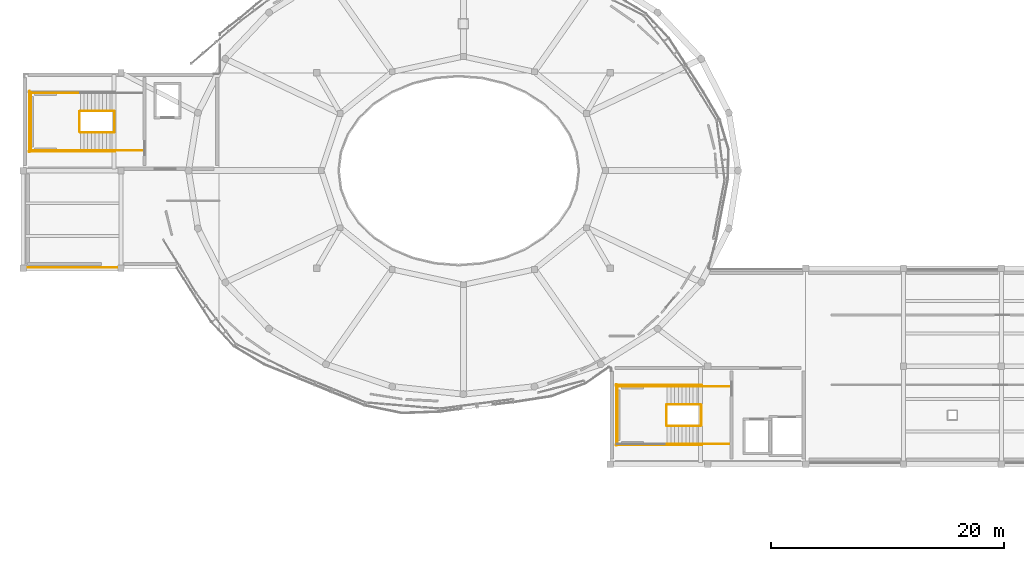
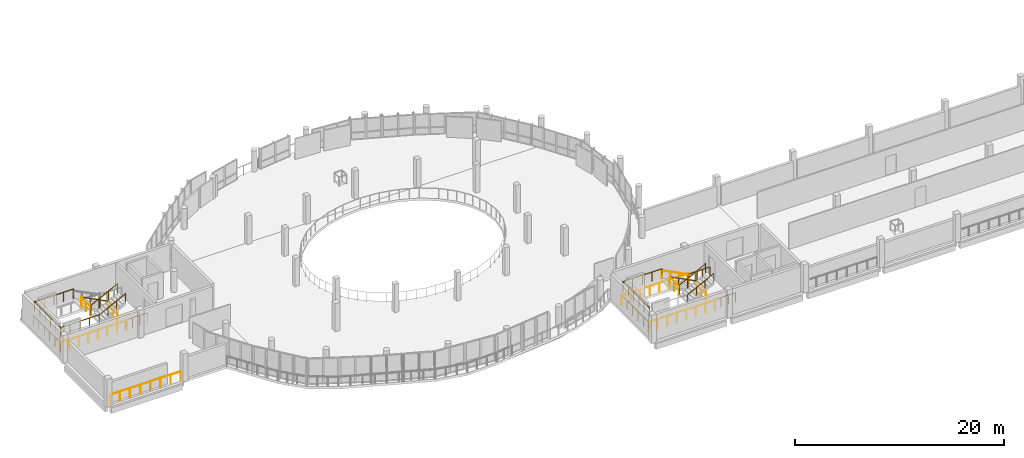
# One storey, part 36 of 43: 25 railings.
"""IFC4 building model written with IfcOpenShell, lengths in metres."""

from ifc_helpers import new_model, si_unit, derived_unit, direction, frame, origin, origin_2d, place, context, subcontext, project, spatial, circle, extrude, material, type_object, element, save


model = new_model("IFC4")

# Units and contexts
model_context = context("Model", 3, precision=1e-05, world=origin(), true_north=direction((0.0, 1.0)))
body_context = subcontext(model_context, "Body", "Model", "MODEL_VIEW")
ifc_project = project(units=[si_unit("LENGTHUNIT", "METRE"), si_unit("AREAUNIT", "SQUARE_METRE"), si_unit("VOLUMEUNIT", "CUBIC_METRE"), si_unit("PLANEANGLEUNIT", "RADIAN"), si_unit("MASSUNIT", "GRAM", prefix="KILO"), derived_unit("THERMALTRANSMITTANCEUNIT", [(si_unit("POWERUNIT", "WATT"), 1), (si_unit("LENGTHUNIT", "METRE"), -2), (si_unit("THERMODYNAMICTEMPERATUREUNIT", "KELVIN"), -1)])], contexts=[model_context])

# Site, building, storey
site_placement = place(None, origin())
site = spatial("IfcSite", under=ifc_project, at=site_placement, CompositionType="ELEMENT")
building_placement = place(site_placement, origin())
building = spatial("IfcBuilding", under=site, at=building_placement, Name="Elbkamm Science Centre", CompositionType="ELEMENT")
storey_placement = place(building_placement, frame((0.0, 0.0, 18.300048828125)))
storey = spatial("IfcBuildingStorey", under=building, at=storey_placement, Name="L04", CompositionType="ELEMENT", Elevation=18.300048828125)

# Railings
ifc_material = material(Name="Stainless steel EN 1.4401", Category="steel")
railing_type_1 = type_object("IfcRailingType", Name="RAIL-EXT-GUARD-1100", PredefinedType="GUARDRAIL", material=ifc_material)
railing_1_placement = place(storey_placement, frame((33.320068359375, 58.89990234375, 0.0)))
element("IfcRailing", 1, at=railing_1_placement, inside=storey, type_object=railing_type_1, Name="L04 Slab Edge Perimeter Guard 110", PredefinedType="GUARDRAIL", context=body_context, shape_type="SweptSolid", body=[
    extrude(circle(Radius=0.02392578125, at=origin_2d()), frame((0.0, 0.0, 1.078125), z_axis=(-1.0, 0.0, 0.0), x_axis=(0.0, -1.0, 0.0)), (0.0, 0.0, 1.0), 7.840087890625),
    extrude(circle(Radius=0.02001953125, at=origin_2d()), origin(), (0.0, 0.0, 1.0), 1.048095703125),
    extrude(circle(Radius=0.02001953125, at=origin_2d()), frame((-1.1201171875, 0.0, 0.0)), (0.0, 0.0, 1.0), 1.048095703125),
    extrude(circle(Radius=0.02001953125, at=origin_2d()), frame((-2.239990234375, 0.0, 0.0)), (0.0, 0.0, 1.0), 1.048095703125),
    extrude(circle(Radius=0.02001953125, at=origin_2d()), frame((-3.360107421875, 0.0, 0.0)), (0.0, 0.0, 1.0), 1.048095703125),
    extrude(circle(Radius=0.02001953125, at=origin_2d()), frame((-4.47998046875, 0.0, 0.0)), (0.0, 0.0, 1.0), 1.048095703125),
    extrude(circle(Radius=0.02001953125, at=origin_2d()), frame((-5.60009765625, 0.0, 0.0)), (0.0, 0.0, 1.0), 1.048095703125),
    extrude(circle(Radius=0.02001953125, at=origin_2d()), frame((-6.719970703125, 0.0, 0.0)), (0.0, 0.0, 1.0), 1.048095703125),
    extrude(circle(Radius=0.02001953125, at=origin_2d()), frame((-7.840087890625, 0.0, 0.0)), (0.0, 0.0, 1.0), 1.048095703125),
])
railing_type_2 = type_object("IfcRailingType", Name="RAIL-GUARD-1100", PredefinedType="GUARDRAIL", material=ifc_material)
railing_2_placement = place(storey_placement, frame((32.97998046875, 72.320068359375, 0.1650390625)))
element("IfcRailing", 2, at=railing_2_placement, inside=storey, type_object=railing_type_2, Name="L04 ST-C1 stair guard 1", PredefinedType="GUARDRAIL", context=body_context, shape_type="SweptSolid", body=[
    extrude(circle(Radius=0.02392578125, at=origin_2d()), frame((0.0, 0.0, 1.078125), z_axis=(-0.888812758364, 0.0, 0.458270532076), x_axis=(0.0, -1.0, 0.0)), (0.0, 0.0, 1.0), 3.240234375),
    extrude(circle(Radius=0.02001953125, at=origin_2d()), origin(), (0.0, 0.0, 1.0), 1.048095703125),
    extrude(circle(Radius=0.02001953125, at=origin_2d()), frame((-0.9599609375, 0.0, 0.494873046875)), (0.0, 0.0, 1.0), 1.048095703125),
    extrude(circle(Radius=0.02001953125, at=origin_2d()), frame((-1.919921875, 0.0, 0.989990234375)), (0.0, 0.0, 1.0), 1.048095703125),
    extrude(circle(Radius=0.02001953125, at=origin_2d()), frame((-2.8798828125, 0.0, 1.48486328125)), (0.0, 0.0, 1.0), 1.048095703125),
])
railing_3_placement = place(storey_placement, frame((30.050048828125, 72.27001953125, 1.64990234375)))
element("IfcRailing", 3, at=railing_3_placement, inside=storey, type_object=railing_type_2, Name="L04 ST-C1 stair guard 2", PredefinedType="GUARDRAIL", context=body_context, shape_type="SweptSolid", body=[
    extrude(circle(Radius=0.02392578125, at=origin_2d()), frame((0.0, 0.0, 1.078125), z_axis=(0.0, -1.0, 0.0), x_axis=(1.0, 0.0, 0.0)), (0.0, 0.0, 1.0), 1.739990234375),
    extrude(circle(Radius=0.02001953125, at=origin_2d()), origin(), (0.0, 0.0, 1.0), 1.048095703125),
    extrude(circle(Radius=0.02001953125, at=origin_2d()), frame((0.0, -0.8701171875, 0.0)), (0.0, 0.0, 1.0), 1.048095703125),
    extrude(circle(Radius=0.02001953125, at=origin_2d()), frame((0.0, -1.739990234375, 0.0)), (0.0, 0.0, 1.0), 1.048095703125),
])
for number, where, name in (
    (4, (30.10009765625, 73.8701171875, 1.64990234375), "L04 ST-C1 stair guard 3"),
    (5, (30.10009765625, 68.929931640625, 1.64990234375), "L04 ST-C1 stair guard 4"),
):
    element("IfcRailing", number, at=place(storey_placement, frame(where)), inside=storey, type_object=railing_type_2, Name=name, PredefinedType="GUARDRAIL", context=body_context, shape_type="SweptSolid", body=[
        extrude(circle(Radius=0.02392578125, at=origin_2d()), frame((0.0, 0.0, 1.078125), z_axis=(-1.0, 0.0, 0.0), x_axis=(0.0, -1.0, 0.0)), (0.0, 0.0, 1.0), 4.300048828125),
        extrude(circle(Radius=0.02001953125, at=origin_2d()), origin(), (0.0, 0.0, 1.0), 1.048095703125),
        extrude(circle(Radius=0.02001953125, at=origin_2d()), frame((-1.074951171875, 0.0, 0.0)), (0.0, 0.0, 1.0), 1.048095703125),
        extrude(circle(Radius=0.02001953125, at=origin_2d()), frame((-2.14990234375, 0.0, 0.0)), (0.0, 0.0, 1.0), 1.048095703125),
        extrude(circle(Radius=0.02001953125, at=origin_2d()), frame((-3.22509765625, 0.0, 0.0)), (0.0, 0.0, 1.0), 1.048095703125),
        extrude(circle(Radius=0.02001953125, at=origin_2d()), frame((-4.300048828125, 0.0, 0.0)), (0.0, 0.0, 1.0), 1.048095703125),
    ])
railing_4_placement = place(storey_placement, frame((25.85009765625, 73.919921875, 1.64990234375)))
element("IfcRailing", 6, at=railing_4_placement, inside=storey, type_object=railing_type_2, Name="L04 ST-C1 stair guard 5", PredefinedType="GUARDRAIL", context=body_context, shape_type="SweptSolid", body=[
    extrude(circle(Radius=0.02392578125, at=origin_2d()), frame((0.0, 0.0, 1.078125), z_axis=(0.0, -1.0, 0.0), x_axis=(1.0, 0.0, 0.0)), (0.0, 0.0, 1.0), 5.0400390625),
    extrude(circle(Radius=0.02001953125, at=origin_2d()), origin(), (0.0, 0.0, 1.0), 1.048095703125),
    extrude(circle(Radius=0.02001953125, at=origin_2d()), frame((0.0, -1.008056640625, 0.0)), (0.0, 0.0, 1.0), 1.048095703125),
    extrude(circle(Radius=0.02001953125, at=origin_2d()), frame((0.0, -2.01611328125, 0.0)), (0.0, 0.0, 1.0), 1.048095703125),
    extrude(circle(Radius=0.02001953125, at=origin_2d()), frame((0.0, -3.02392578125, 0.0)), (0.0, 0.0, 1.0), 1.048095703125),
    extrude(circle(Radius=0.02001953125, at=origin_2d()), frame((0.0, -4.031982421875, 0.0)), (0.0, 0.0, 1.0), 1.048095703125),
    extrude(circle(Radius=0.02001953125, at=origin_2d()), frame((0.0, -5.0400390625, 0.0)), (0.0, 0.0, 1.0), 1.048095703125),
])
railing_5_placement = place(storey_placement, frame((30.10009765625, 70.47998046875, 1.81494140625)))
element("IfcRailing", 7, at=railing_5_placement, inside=storey, type_object=railing_type_2, Name="L04 ST-C1 stair guard 6", PredefinedType="GUARDRAIL", context=body_context, shape_type="SweptSolid", body=[
    extrude(circle(Radius=0.02392578125, at=origin_2d()), frame((0.0, 0.0, 1.078125), z_axis=(0.888782066665, 0.0, 0.458330053537), x_axis=(0.0, 1.0, 0.0)), (0.0, 0.0, 1.0), 3.240234375),
    extrude(circle(Radius=0.02001953125, at=origin_2d()), origin(), (0.0, 0.0, 1.0), 1.048095703125),
    extrude(circle(Radius=0.02001953125, at=origin_2d()), frame((0.9599609375, 0.0, 0.4951171875)), (0.0, 0.0, 1.0), 1.048095703125),
    extrude(circle(Radius=0.02001953125, at=origin_2d()), frame((1.919921875, 0.0, 0.989990234375)), (0.0, 0.0, 1.0), 1.048095703125),
    extrude(circle(Radius=0.02001953125, at=origin_2d()), frame((2.8798828125, 0.0, 1.485107421875)), (0.0, 0.0, 1.0), 1.048095703125),
])
railing_6_placement = place(storey_placement, frame((33.030029296875, 72.27001953125, 0.0)))
element("IfcRailing", 8, at=railing_6_placement, inside=storey, type_object=railing_type_2, Name="L04 ST-C1 stair guard 7", PredefinedType="GUARDRAIL", context=body_context, shape_type="SweptSolid", body=[
    extrude(circle(Radius=0.02392578125, at=origin_2d()), frame((0.0, 0.0, 1.078125), z_axis=(0.0, -1.0, 0.0), x_axis=(1.0, 0.0, 0.0)), (0.0, 0.0, 1.0), 1.739990234375),
    extrude(circle(Radius=0.02001953125, at=origin_2d()), origin(), (0.0, 0.0, 1.0), 1.048095703125),
    extrude(circle(Radius=0.02001953125, at=origin_2d()), frame((0.0, -0.8701171875, 0.0)), (0.0, 0.0, 1.0), 1.048095703125),
    extrude(circle(Radius=0.02001953125, at=origin_2d()), frame((0.0, -1.739990234375, 0.0)), (0.0, 0.0, 1.0), 1.048095703125),
])
railing_7_placement = place(storey_placement, frame((35.39990234375, 68.929931640625, 0.0)))
element("IfcRailing", 9, at=railing_7_placement, inside=storey, type_object=railing_type_2, Name="L04 ST-C1 stair guard 9", PredefinedType="GUARDRAIL", context=body_context, shape_type="SweptSolid", body=[
    extrude(circle(Radius=0.02392578125, at=origin_2d()), frame((0.0, 0.0, 1.078125), z_axis=(-1.0, 0.0, 0.0), x_axis=(0.0, -1.0, 0.0)), (0.0, 0.0, 1.0), 2.419921875),
    extrude(circle(Radius=0.02001953125, at=origin_2d()), origin(), (0.0, 0.0, 1.0), 1.048095703125),
    extrude(circle(Radius=0.02001953125, at=origin_2d()), frame((-0.806640625, 0.0, 0.0)), (0.0, 0.0, 1.0), 1.048095703125),
    extrude(circle(Radius=0.02001953125, at=origin_2d()), frame((-1.61328125, 0.0, 0.0)), (0.0, 0.0, 1.0), 1.048095703125),
    extrude(circle(Radius=0.02001953125, at=origin_2d()), frame((-2.419921875, 0.0, 0.0)), (0.0, 0.0, 1.0), 1.048095703125),
])
railing_8_placement = place(storey_placement, frame((33.080078125, 68.830078125, 0.0)))
element("IfcRailing", 10, at=railing_8_placement, inside=storey, type_object=railing_type_2, Name="L04 ST-C1 stair guard 11", PredefinedType="GUARDRAIL", context=body_context, shape_type="SweptSolid", body=[
    extrude(circle(Radius=0.02392578125, at=origin_2d()), frame((0.0, 0.0, 1.078125), z_axis=(-1.0, 0.0, 0.0), x_axis=(0.0, -1.0, 0.0)), (0.0, 0.0, 1.0), 7.380126953125),
    extrude(circle(Radius=0.02001953125, at=origin_2d()), origin(), (0.0, 0.0, 1.0), 1.048095703125),
    extrude(circle(Radius=0.02001953125, at=origin_2d()), frame((-1.05419921875, 0.0, 0.0)), (0.0, 0.0, 1.0), 1.048095703125),
    extrude(circle(Radius=0.02001953125, at=origin_2d()), frame((-2.108642578125, 0.0, 0.0)), (0.0, 0.0, 1.0), 1.048095703125),
    extrude(circle(Radius=0.02001953125, at=origin_2d()), frame((-3.162841796875, 0.0, 0.0)), (0.0, 0.0, 1.0), 1.048095703125),
    extrude(circle(Radius=0.02001953125, at=origin_2d()), frame((-4.21728515625, 0.0, 0.0)), (0.0, 0.0, 1.0), 1.048095703125),
    extrude(circle(Radius=0.02001953125, at=origin_2d()), frame((-5.271484375, 0.0, 0.0)), (0.0, 0.0, 1.0), 1.048095703125),
    extrude(circle(Radius=0.02001953125, at=origin_2d()), frame((-6.325927734375, 0.0, 0.0)), (0.0, 0.0, 1.0), 1.048095703125),
    extrude(circle(Radius=0.02001953125, at=origin_2d()), frame((-7.380126953125, 0.0, 0.0)), (0.0, 0.0, 1.0), 1.048095703125),
])
railing_9_placement = place(storey_placement, frame((25.75, 74.02001953125, 0.0)))
element("IfcRailing", 11, at=railing_9_placement, inside=storey, type_object=railing_type_2, Name="L04 ST-C1 stair guard 12", PredefinedType="GUARDRAIL", context=body_context, shape_type="SweptSolid", body=[
    extrude(circle(Radius=0.02392578125, at=origin_2d()), frame((0.0, 0.0, 1.078125), z_axis=(0.0, -1.0, 0.0), x_axis=(1.0, 0.0, 0.0)), (0.0, 0.0, 1.0), 5.239990234375),
    extrude(circle(Radius=0.02001953125, at=origin_2d()), origin(), (0.0, 0.0, 1.0), 1.048095703125),
    extrude(circle(Radius=0.02001953125, at=origin_2d()), frame((0.0, -1.048095703125, 0.0)), (0.0, 0.0, 1.0), 1.048095703125),
    extrude(circle(Radius=0.02001953125, at=origin_2d()), frame((0.0, -2.095947265625, 0.0)), (0.0, 0.0, 1.0), 1.048095703125),
    extrude(circle(Radius=0.02001953125, at=origin_2d()), frame((0.0, -3.14404296875, 0.0)), (0.0, 0.0, 1.0), 1.048095703125),
    extrude(circle(Radius=0.02001953125, at=origin_2d()), frame((0.0, -4.19189453125, 0.0)), (0.0, 0.0, 1.0), 1.048095703125),
    extrude(circle(Radius=0.02001953125, at=origin_2d()), frame((0.0, -5.239990234375, 0.0)), (0.0, 0.0, 1.0), 1.048095703125),
])
railing_10_placement = place(storey_placement, frame((83.3798828125, 47.1201171875, 0.1650390625)))
element("IfcRailing", 12, at=railing_10_placement, inside=storey, type_object=railing_type_2, Name="L04 ST-C2 stair guard 1", PredefinedType="GUARDRAIL", context=body_context, shape_type="SweptSolid", body=[
    extrude(circle(Radius=0.02392578125, at=origin_2d()), frame((0.0, 0.0, 1.078125), z_axis=(-0.888812758364, 0.0, 0.458270532076), x_axis=(0.0, -1.0, 0.0)), (0.0, 0.0, 1.0), 3.240234375),
    extrude(circle(Radius=0.02001953125, at=origin_2d()), origin(), (0.0, 0.0, 1.0), 1.048095703125),
    extrude(circle(Radius=0.02001953125, at=origin_2d()), frame((-0.9599609375, 0.0, 0.494873046875)), (0.0, 0.0, 1.0), 1.048095703125),
    extrude(circle(Radius=0.02001953125, at=origin_2d()), frame((-1.919921875, 0.0, 0.989990234375)), (0.0, 0.0, 1.0), 1.048095703125),
    extrude(circle(Radius=0.02001953125, at=origin_2d()), frame((-2.8798828125, 0.0, 1.48486328125)), (0.0, 0.0, 1.0), 1.048095703125),
])
railing_11_placement = place(storey_placement, frame((80.449951171875, 47.070068359375, 1.64990234375)))
element("IfcRailing", 13, at=railing_11_placement, inside=storey, type_object=railing_type_2, Name="L04 ST-C2 stair guard 2", PredefinedType="GUARDRAIL", context=body_context, shape_type="SweptSolid", body=[
    extrude(circle(Radius=0.02392578125, at=origin_2d()), frame((0.0, 0.0, 1.078125), z_axis=(0.0, -1.0, 0.0), x_axis=(1.0, 0.0, 0.0)), (0.0, 0.0, 1.0), 1.739990234375),
    extrude(circle(Radius=0.02001953125, at=origin_2d()), origin(), (0.0, 0.0, 1.0), 1.048095703125),
    extrude(circle(Radius=0.02001953125, at=origin_2d()), frame((0.0, -0.8701171875, 0.0)), (0.0, 0.0, 1.0), 1.048095703125),
    extrude(circle(Radius=0.02001953125, at=origin_2d()), frame((0.0, -1.739990234375, 0.0)), (0.0, 0.0, 1.0), 1.048095703125),
])
railing_12_placement = place(storey_placement, frame((80.5, 48.669921875, 1.64990234375)))
element("IfcRailing", 14, at=railing_12_placement, inside=storey, type_object=railing_type_2, Name="L04 ST-C2 stair guard 3", PredefinedType="GUARDRAIL", context=body_context, shape_type="SweptSolid", body=[
    extrude(circle(Radius=0.02392578125, at=origin_2d()), frame((0.0, 0.0, 1.078125), z_axis=(-1.0, 0.0, 0.0), x_axis=(0.0, -1.0, 0.0)), (0.0, 0.0, 1.0), 4.300048828125),
    extrude(circle(Radius=0.02001953125, at=origin_2d()), origin(), (0.0, 0.0, 1.0), 1.048095703125),
    extrude(circle(Radius=0.02001953125, at=origin_2d()), frame((-1.074951171875, 0.0, 0.0)), (0.0, 0.0, 1.0), 1.048095703125),
    extrude(circle(Radius=0.02001953125, at=origin_2d()), frame((-2.14990234375, 0.0, 0.0)), (0.0, 0.0, 1.0), 1.048095703125),
    extrude(circle(Radius=0.02001953125, at=origin_2d()), frame((-3.22509765625, 0.0, 0.0)), (0.0, 0.0, 1.0), 1.048095703125),
    extrude(circle(Radius=0.02001953125, at=origin_2d()), frame((-4.300048828125, 0.0, 0.0)), (0.0, 0.0, 1.0), 1.048095703125),
])
railing_13_placement = place(storey_placement, frame((76.25, 48.719970703125, 1.64990234375)))
element("IfcRailing", 15, at=railing_13_placement, inside=storey, type_object=railing_type_2, Name="L04 ST-C2 stair guard 5", PredefinedType="GUARDRAIL", context=body_context, shape_type="SweptSolid", body=[
    extrude(circle(Radius=0.02392578125, at=origin_2d()), frame((0.0, 0.0, 1.078125), z_axis=(0.0, -1.0, 0.0), x_axis=(1.0, 0.0, 0.0)), (0.0, 0.0, 1.0), 5.0400390625),
    extrude(circle(Radius=0.02001953125, at=origin_2d()), origin(), (0.0, 0.0, 1.0), 1.048095703125),
    extrude(circle(Radius=0.02001953125, at=origin_2d()), frame((0.0, -1.008056640625, 0.0)), (0.0, 0.0, 1.0), 1.048095703125),
    extrude(circle(Radius=0.02001953125, at=origin_2d()), frame((0.0, -2.01611328125, 0.0)), (0.0, 0.0, 1.0), 1.048095703125),
    extrude(circle(Radius=0.02001953125, at=origin_2d()), frame((0.0, -3.02392578125, 0.0)), (0.0, 0.0, 1.0), 1.048095703125),
    extrude(circle(Radius=0.02001953125, at=origin_2d()), frame((0.0, -4.031982421875, 0.0)), (0.0, 0.0, 1.0), 1.048095703125),
    extrude(circle(Radius=0.02001953125, at=origin_2d()), frame((0.0, -5.0400390625, 0.0)), (0.0, 0.0, 1.0), 1.048095703125),
])
railing_14_placement = place(storey_placement, frame((80.5, 45.280029296875, 1.81494140625)))
element("IfcRailing", 16, at=railing_14_placement, inside=storey, type_object=railing_type_2, Name="L04 ST-C2 stair guard 6", PredefinedType="GUARDRAIL", context=body_context, shape_type="SweptSolid", body=[
    extrude(circle(Radius=0.02392578125, at=origin_2d()), frame((0.0, 0.0, 1.078125), z_axis=(0.888782066665, 0.0, 0.458330053537), x_axis=(0.0, 1.0, 0.0)), (0.0, 0.0, 1.0), 3.240234375),
    extrude(circle(Radius=0.02001953125, at=origin_2d()), origin(), (0.0, 0.0, 1.0), 1.048095703125),
    extrude(circle(Radius=0.02001953125, at=origin_2d()), frame((0.9599609375, 0.0, 0.4951171875)), (0.0, 0.0, 1.0), 1.048095703125),
    extrude(circle(Radius=0.02001953125, at=origin_2d()), frame((1.919921875, 0.0, 0.989990234375)), (0.0, 0.0, 1.0), 1.048095703125),
    extrude(circle(Radius=0.02001953125, at=origin_2d()), frame((2.8798828125, 0.0, 1.485107421875)), (0.0, 0.0, 1.0), 1.048095703125),
])
railing_15_placement = place(storey_placement, frame((83.429931640625, 47.070068359375, 0.0)))
element("IfcRailing", 17, at=railing_15_placement, inside=storey, type_object=railing_type_2, Name="L04 ST-C2 stair guard 7", PredefinedType="GUARDRAIL", context=body_context, shape_type="SweptSolid", body=[
    extrude(circle(Radius=0.02392578125, at=origin_2d()), frame((0.0, 0.0, 1.078125), z_axis=(0.0, -1.0, 0.0), x_axis=(1.0, 0.0, 0.0)), (0.0, 0.0, 1.0), 1.739990234375),
    extrude(circle(Radius=0.02001953125, at=origin_2d()), origin(), (0.0, 0.0, 1.0), 1.048095703125),
    extrude(circle(Radius=0.02001953125, at=origin_2d()), frame((0.0, -0.8701171875, 0.0)), (0.0, 0.0, 1.0), 1.048095703125),
    extrude(circle(Radius=0.02001953125, at=origin_2d()), frame((0.0, -1.739990234375, 0.0)), (0.0, 0.0, 1.0), 1.048095703125),
])
for number, where, name in (
    (18, (85.800048828125, 48.669921875, 0.0), "L04 ST-C2 stair guard 8"),
    (19, (85.800048828125, 43.72998046875, 0.0), "L04 ST-C2 stair guard 9"),
):
    element("IfcRailing", number, at=place(storey_placement, frame(where)), inside=storey, type_object=railing_type_2, Name=name, PredefinedType="GUARDRAIL", context=body_context, shape_type="SweptSolid", body=[
        extrude(circle(Radius=0.02392578125, at=origin_2d()), frame((0.0, 0.0, 1.078125), z_axis=(-1.0, 0.0, 0.0), x_axis=(0.0, -1.0, 0.0)), (0.0, 0.0, 1.0), 2.420166015625),
        extrude(circle(Radius=0.02001953125, at=origin_2d()), origin(), (0.0, 0.0, 1.0), 1.048095703125),
        extrude(circle(Radius=0.02001953125, at=origin_2d()), frame((-0.806640625, 0.0, 0.0)), (0.0, 0.0, 1.0), 1.048095703125),
        extrude(circle(Radius=0.02001953125, at=origin_2d()), frame((-1.613525390625, 0.0, 0.0)), (0.0, 0.0, 1.0), 1.048095703125),
        extrude(circle(Radius=0.02001953125, at=origin_2d()), frame((-2.420166015625, 0.0, 0.0)), (0.0, 0.0, 1.0), 1.048095703125),
    ])
for number, where, name in (
    (20, (83.47998046875, 48.77001953125, 0.0), "L04 ST-C2 stair guard 10"),
    (21, (83.47998046875, 43.6298828125, 0.0), "L04 ST-C2 stair guard 11"),
):
    element("IfcRailing", number, at=place(storey_placement, frame(where)), inside=storey, type_object=railing_type_2, Name=name, PredefinedType="GUARDRAIL", context=body_context, shape_type="SweptSolid", body=[
        extrude(circle(Radius=0.02392578125, at=origin_2d()), frame((0.0, 0.0, 1.078125), z_axis=(-1.0, 0.0, 0.0), x_axis=(0.0, -1.0, 0.0)), (0.0, 0.0, 1.0), 7.3798828125),
        extrude(circle(Radius=0.02001953125, at=origin_2d()), origin(), (0.0, 0.0, 1.0), 1.048095703125),
        extrude(circle(Radius=0.02001953125, at=origin_2d()), frame((-1.05419921875, 0.0, 0.0)), (0.0, 0.0, 1.0), 1.048095703125),
        extrude(circle(Radius=0.02001953125, at=origin_2d()), frame((-2.108642578125, 0.0, 0.0)), (0.0, 0.0, 1.0), 1.048095703125),
        extrude(circle(Radius=0.02001953125, at=origin_2d()), frame((-3.162841796875, 0.0, 0.0)), (0.0, 0.0, 1.0), 1.048095703125),
        extrude(circle(Radius=0.02001953125, at=origin_2d()), frame((-4.217041015625, 0.0, 0.0)), (0.0, 0.0, 1.0), 1.048095703125),
        extrude(circle(Radius=0.02001953125, at=origin_2d()), frame((-5.271240234375, 0.0, 0.0)), (0.0, 0.0, 1.0), 1.048095703125),
        extrude(circle(Radius=0.02001953125, at=origin_2d()), frame((-6.32568359375, 0.0, 0.0)), (0.0, 0.0, 1.0), 1.048095703125),
        extrude(circle(Radius=0.02001953125, at=origin_2d()), frame((-7.3798828125, 0.0, 0.0)), (0.0, 0.0, 1.0), 1.048095703125),
    ])
railing_16_placement = place(storey_placement, frame((76.14990234375, 48.820068359375, 0.0)))
element("IfcRailing", 22, at=railing_16_placement, inside=storey, type_object=railing_type_2, Name="L04 ST-C2 stair guard 12", PredefinedType="GUARDRAIL", context=body_context, shape_type="SweptSolid", body=[
    extrude(circle(Radius=0.02392578125, at=origin_2d()), frame((0.0, 0.0, 1.078125), z_axis=(0.0, -1.0, 0.0), x_axis=(1.0, 0.0, 0.0)), (0.0, 0.0, 1.0), 5.239990234375),
    extrude(circle(Radius=0.02001953125, at=origin_2d()), origin(), (0.0, 0.0, 1.0), 1.048095703125),
    extrude(circle(Radius=0.02001953125, at=origin_2d()), frame((0.0, -1.048095703125, 0.0)), (0.0, 0.0, 1.0), 1.048095703125),
    extrude(circle(Radius=0.02001953125, at=origin_2d()), frame((0.0, -2.095947265625, 0.0)), (0.0, 0.0, 1.0), 1.048095703125),
    extrude(circle(Radius=0.02001953125, at=origin_2d()), frame((0.0, -3.14404296875, 0.0)), (0.0, 0.0, 1.0), 1.048095703125),
    extrude(circle(Radius=0.02001953125, at=origin_2d()), frame((0.0, -4.19189453125, 0.0)), (0.0, 0.0, 1.0), 1.048095703125),
    extrude(circle(Radius=0.02001953125, at=origin_2d()), frame((0.0, -5.239990234375, 0.0)), (0.0, 0.0, 1.0), 1.048095703125),
])
railing_type_3 = type_object("IfcRailingType", Name="RAIL-HAND-900", PredefinedType="HANDRAIL", material=ifc_material)
railing_17_placement = place(storey_placement, frame((30.10009765625, 68.929931640625, 1.81494140625)))
element("IfcRailing", 23, at=railing_17_placement, inside=storey, type_object=railing_type_3, Name="L04 ST-C1 stair handrail 2", PredefinedType="HANDRAIL", context=body_context, shape_type="SweptSolid", body=[
    extrude(circle(Radius=0.02392578125, at=origin_2d()), frame((0.0, 0.0, 0.8779296875), z_axis=(0.888782066665, 0.0, 0.458330053537), x_axis=(0.0, 1.0, 0.0)), (0.0, 0.0, 1.0), 3.240234375),
    extrude(circle(Radius=0.02001953125, at=origin_2d()), origin(), (0.0, 0.0, 1.0), 0.847900390625),
    extrude(circle(Radius=0.02001953125, at=origin_2d()), frame((0.9599609375, 0.0, 0.4951171875)), (0.0, 0.0, 1.0), 0.847900390625),
    extrude(circle(Radius=0.02001953125, at=origin_2d()), frame((1.919921875, 0.0, 0.989990234375)), (0.0, 0.0, 1.0), 0.847900390625),
    extrude(circle(Radius=0.02001953125, at=origin_2d()), frame((2.8798828125, 0.0, 1.485107421875)), (0.0, 0.0, 1.0), 0.847900390625),
])
railing_18_placement = place(storey_placement, frame((83.3798828125, 48.669921875, 0.1650390625)))
element("IfcRailing", 24, at=railing_18_placement, inside=storey, type_object=railing_type_3, Name="L04 ST-C2 stair handrail 1", PredefinedType="HANDRAIL", context=body_context, shape_type="SweptSolid", body=[
    extrude(circle(Radius=0.02392578125, at=origin_2d()), frame((0.0, 0.0, 0.8779296875), z_axis=(-0.888812758364, 0.0, 0.458270532076), x_axis=(0.0, -1.0, 0.0)), (0.0, 0.0, 1.0), 3.240234375),
    extrude(circle(Radius=0.02001953125, at=origin_2d()), origin(), (0.0, 0.0, 1.0), 0.847900390625),
    extrude(circle(Radius=0.02001953125, at=origin_2d()), frame((-0.9599609375, 0.0, 0.494873046875)), (0.0, 0.0, 1.0), 0.847900390625),
    extrude(circle(Radius=0.02001953125, at=origin_2d()), frame((-1.919921875, 0.0, 0.989990234375)), (0.0, 0.0, 1.0), 0.847900390625),
    extrude(circle(Radius=0.02001953125, at=origin_2d()), frame((-2.8798828125, 0.0, 1.48486328125)), (0.0, 0.0, 1.0), 0.847900390625),
])
railing_19_placement = place(storey_placement, frame((80.5, 43.72998046875, 1.81494140625)))
element("IfcRailing", 25, at=railing_19_placement, inside=storey, type_object=railing_type_3, Name="L04 ST-C2 stair handrail 2", PredefinedType="HANDRAIL", context=body_context, shape_type="SweptSolid", body=[
    extrude(circle(Radius=0.02392578125, at=origin_2d()), frame((0.0, 0.0, 0.8779296875), z_axis=(0.888782066665, 0.0, 0.458330053537), x_axis=(0.0, 1.0, 0.0)), (0.0, 0.0, 1.0), 3.240234375),
    extrude(circle(Radius=0.02001953125, at=origin_2d()), origin(), (0.0, 0.0, 1.0), 0.847900390625),
    extrude(circle(Radius=0.02001953125, at=origin_2d()), frame((0.9599609375, 0.0, 0.4951171875)), (0.0, 0.0, 1.0), 0.847900390625),
    extrude(circle(Radius=0.02001953125, at=origin_2d()), frame((1.919921875, 0.0, 0.989990234375)), (0.0, 0.0, 1.0), 0.847900390625),
    extrude(circle(Radius=0.02001953125, at=origin_2d()), frame((2.8798828125, 0.0, 1.485107421875)), (0.0, 0.0, 1.0), 0.847900390625),
])

save(model, "model.ifc")
